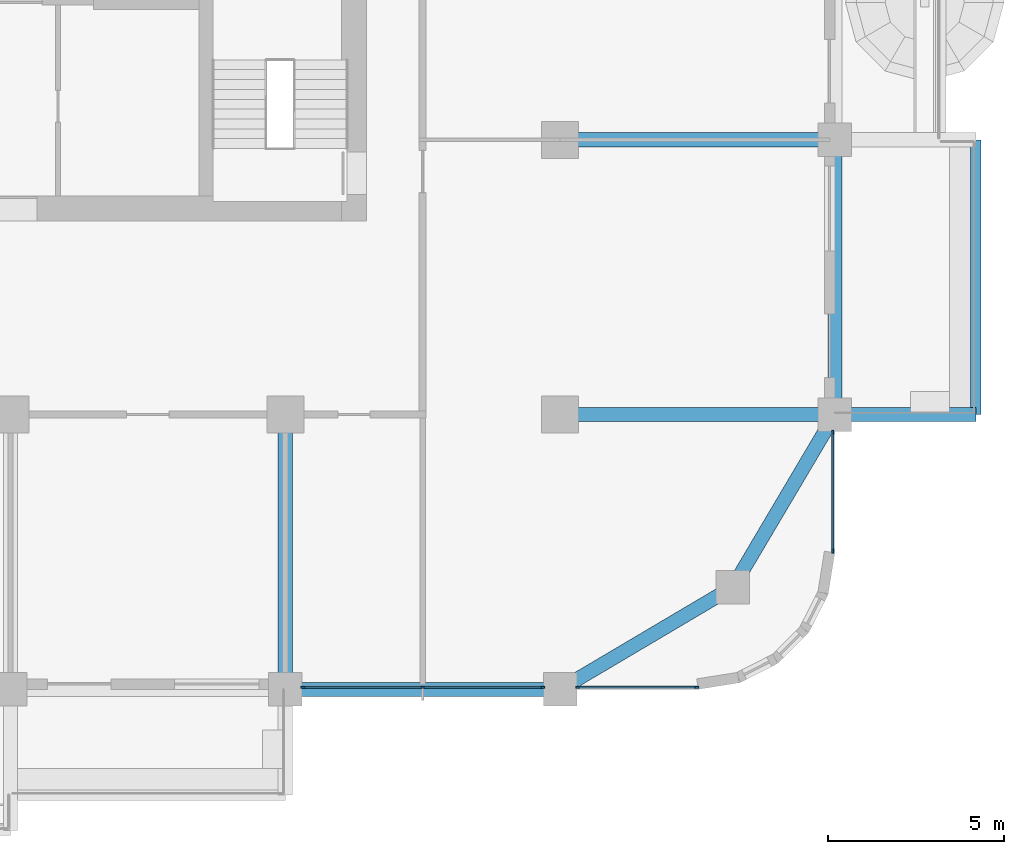
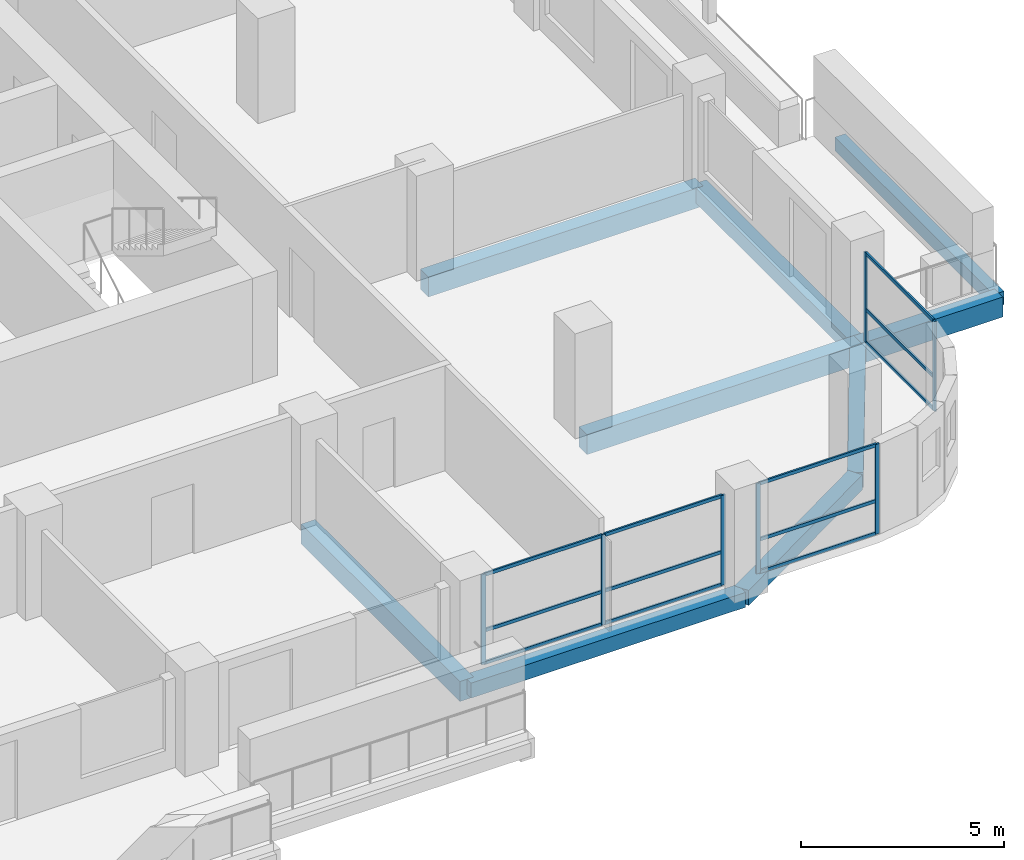
# One storey, part 4 of 21: 19 members, 9 beams, 3 elements without a shape of their own.
"""IFC4 building model written with IfcOpenShell, lengths in metres."""

from ifc_helpers import new_model, si_unit, direction, frame, origin, origin_2d, place, context, subcontext, project, spatial, rectangle, extrude, material, material_profile, profile_set, type_object, element, aggregate, save


model = new_model("IFC4")

# Units and contexts
model_context = context("Model", 3, precision=1e-05, world=origin(), true_north=direction((0.0, 1.0)))
body_context = subcontext(model_context, "Body", "Model", "MODEL_VIEW")
ifc_project = project(units=[si_unit("LENGTHUNIT", "METRE"), si_unit("AREAUNIT", "SQUARE_METRE"), si_unit("VOLUMEUNIT", "CUBIC_METRE"), si_unit("PLANEANGLEUNIT", "RADIAN"), si_unit("MASSUNIT", "GRAM", prefix="KILO")], contexts=[model_context])

# Site, building, storey
site_placement = place(None, origin())
site = spatial("IfcSite", under=ifc_project, at=site_placement, CompositionType="ELEMENT")
building_placement = place(site_placement, origin())
building = spatial("IfcBuilding", under=site, at=building_placement, Name="Ludao Terraces", CompositionType="ELEMENT")
storey_placement = place(building_placement, frame((0.0, 0.0, 71.60009765625)))
storey = spatial("IfcBuildingStorey", under=building, at=storey_placement, Name="L19", CompositionType="ELEMENT", Elevation=71.60009765625)

# Curtain wall, members
ifc_material_1 = material(Name="Aluminium curtain wall with fritted glass", Category="aluminium")
curtain_wall_type = type_object("IfcCurtainWallType", Name="ENV CW3 community glazing", PredefinedType="NOTDEFINED", material=ifc_material_1)
curtain_wall_1_placement = place(storey_placement, origin())
curtain_wall_1 = element("IfcCurtainWall", 1, at=curtain_wall_1_placement, inside=storey, type_object=curtain_wall_type, Name="Community floor glazing L19 S5", PredefinedType="NOTDEFINED")
ifc_material_2 = material(Name="Aluminium 6063-T6", Category="aluminium")
ifc_material_profile_1 = material_profile(ifc_material_2, rectangle(XDim=0.050048828125, YDim=0.1201171875, at=origin_2d()), Name="50 X 120")
ifc_profile_set_1 = profile_set([ifc_material_profile_1], Name="Aluminium 6063-T6")
member_type_1 = type_object("IfcMemberType", Name="ENV CW3 mullion 50x120", PredefinedType="MULLION", material=ifc_profile_set_1)
member_1_placement = place(storey_placement, frame((93.300048828125, 41.659912109375, 0.0), z_axis=(0.0, 0.0, 1.0), x_axis=(0.0, 1.0, 0.0)))
member_1 = element("IfcMember", 2, at=member_1_placement, type_object=member_type_1, Name="CW3 mullion 1", PredefinedType="MULLION", context=body_context, shape_type="SweptSolid", body=[
    extrude(rectangle(XDim=0.050048828125, YDim=0.1201171875, at=origin_2d()), origin(), (0.0, 0.0, 1.0), 2.699951171875),
])
member_2_placement = place(storey_placement, frame((96.699951171875, 41.659912109375, 0.0), z_axis=(0.0, 0.0, 1.0), x_axis=(0.0, 1.0, 0.0)))
member_2 = element("IfcMember", 3, at=member_2_placement, type_object=member_type_1, Name="CW3 mullion 2", PredefinedType="MULLION", context=body_context, shape_type="SweptSolid", body=[
    extrude(rectangle(XDim=0.050048828125, YDim=0.1201171875, at=origin_2d()), origin(), (0.0, 0.0, 1.0), 2.699951171875),
])
member_3_placement = place(storey_placement, frame((100.10009765625, 41.659912109375, 0.0), z_axis=(0.0, 0.0, 1.0), x_axis=(0.0, 1.0, 0.0)))
member_3 = element("IfcMember", 4, at=member_3_placement, type_object=member_type_1, Name="CW3 mullion 3", PredefinedType="MULLION", context=body_context, shape_type="SweptSolid", body=[
    extrude(rectangle(XDim=0.050048828125, YDim=0.1201171875, at=origin_2d()), origin(), (0.0, 0.0, 1.0), 2.699951171875),
])

curtain_wall_2_placement = place(storey_placement, origin())
curtain_wall_2 = element("IfcCurtainWall", 5, at=curtain_wall_2_placement, inside=storey, type_object=curtain_wall_type, Name="Community floor glazing L19 S6", PredefinedType="NOTDEFINED")
member_4_placement = place(storey_placement, frame((101.10009765625, 41.659912109375, 0.0), z_axis=(0.0, 0.0, 1.0), x_axis=(0.0, 1.0, 0.0)))
member_4 = element("IfcMember", 6, at=member_4_placement, type_object=member_type_1, Name="CW3 mullion 1", PredefinedType="MULLION", context=body_context, shape_type="SweptSolid", body=[
    extrude(rectangle(XDim=0.050048828125, YDim=0.1201171875, at=origin_2d()), origin(), (0.0, 0.0, 1.0), 2.699951171875),
])
member_5_placement = place(storey_placement, frame((104.47509765625, 41.659912109375, 0.0), z_axis=(0.0, 0.0, 1.0), x_axis=(0.0, 1.0, 0.0)))
member_5 = element("IfcMember", 7, at=member_5_placement, type_object=member_type_1, Name="CW3 mullion 2", PredefinedType="MULLION", context=body_context, shape_type="SweptSolid", body=[
    extrude(rectangle(XDim=0.050048828125, YDim=0.1201171875, at=origin_2d()), origin(), (0.0, 0.0, 1.0), 2.699951171875),
])

curtain_wall_3_placement = place(storey_placement, origin())
curtain_wall_3 = element("IfcCurtainWall", 8, at=curtain_wall_3_placement, inside=storey, type_object=curtain_wall_type, Name="Community floor glazing L19 E1", PredefinedType="NOTDEFINED")
member_6_placement = place(storey_placement, frame((108.340087890625, 45.52490234375, 0.0), z_axis=(0.0, 0.0, 1.0), x_axis=(-1.0, 0.0, 0.0)))
member_6 = element("IfcMember", 9, at=member_6_placement, type_object=member_type_1, Name="CW3 mullion 1", PredefinedType="MULLION", context=body_context, shape_type="SweptSolid", body=[
    extrude(rectangle(XDim=0.050048828125, YDim=0.1201171875, at=origin_2d()), origin(), (0.0, 0.0, 1.0), 2.699951171875),
])
member_7_placement = place(storey_placement, frame((108.340087890625, 48.89990234375, 0.0), z_axis=(0.0, 0.0, 1.0), x_axis=(-1.0, 0.0, 0.0)))
member_7 = element("IfcMember", 10, at=member_7_placement, type_object=member_type_1, Name="CW3 mullion 2", PredefinedType="MULLION", context=body_context, shape_type="SweptSolid", body=[
    extrude(rectangle(XDim=0.050048828125, YDim=0.1201171875, at=origin_2d()), origin(), (0.0, 0.0, 1.0), 2.699951171875),
])

# Member
ifc_material_profile_2 = material_profile(ifc_material_2, rectangle(XDim=0.050048828125, YDim=0.10009765625, at=origin_2d()), Name="50 X 100")
ifc_profile_set_2 = profile_set([ifc_material_profile_2], Name="Aluminium 6063-T6")
member_type_2 = type_object("IfcMemberType", Name="ENV CW3 transom 50x100", PredefinedType="USERDEFINED", material=ifc_profile_set_2)
member_8_placement = place(storey_placement, frame((93.324951171875, 41.659912109375, 0.02490234375), z_axis=(1.0, 0.0, 0.0), x_axis=(0.0, 1.0, 0.0)))
member_8 = element("IfcMember", 11, at=member_8_placement, type_object=member_type_2, Name="CW3 transom 1.1", ObjectType="TRANSOM", PredefinedType="USERDEFINED", context=body_context, shape_type="SweptSolid", body=[
    extrude(rectangle(XDim=0.050048828125, YDim=0.10009765625, at=origin_2d()), origin(), (0.0, 0.0, 1.0), 3.35009765625),
])

member_9_placement = place(storey_placement, frame((93.324951171875, 41.659912109375, 1.0), z_axis=(1.0, 0.0, 0.0), x_axis=(0.0, 1.0, 0.0)))
member_9 = element("IfcMember", 12, at=member_9_placement, type_object=member_type_2, Name="CW3 transom 1.2", ObjectType="TRANSOM", PredefinedType="USERDEFINED", context=body_context, shape_type="SweptSolid", body=[
    extrude(rectangle(XDim=0.050048828125, YDim=0.10009765625, at=origin_2d()), origin(), (0.0, 0.0, 1.0), 3.35009765625),
])

member_10_placement = place(storey_placement, frame((93.324951171875, 41.659912109375, 2.6748046875), z_axis=(1.0, 0.0, 0.0), x_axis=(0.0, 1.0, 0.0)))
member_10 = element("IfcMember", 13, at=member_10_placement, type_object=member_type_2, Name="CW3 transom 1.3", ObjectType="TRANSOM", PredefinedType="USERDEFINED", context=body_context, shape_type="SweptSolid", body=[
    extrude(rectangle(XDim=0.050048828125, YDim=0.10009765625, at=origin_2d()), origin(), (0.0, 0.0, 1.0), 3.35009765625),
])

member_11_placement = place(storey_placement, frame((96.72509765625, 41.659912109375, 0.02490234375), z_axis=(1.0, 0.0, 0.0), x_axis=(0.0, 1.0, 0.0)))
member_11 = element("IfcMember", 14, at=member_11_placement, type_object=member_type_2, Name="CW3 transom 2.1", ObjectType="TRANSOM", PredefinedType="USERDEFINED", context=body_context, shape_type="SweptSolid", body=[
    extrude(rectangle(XDim=0.050048828125, YDim=0.10009765625, at=origin_2d()), origin(), (0.0, 0.0, 1.0), 3.349853515625),
])

member_12_placement = place(storey_placement, frame((96.72509765625, 41.659912109375, 1.0), z_axis=(1.0, 0.0, 0.0), x_axis=(0.0, 1.0, 0.0)))
member_12 = element("IfcMember", 15, at=member_12_placement, type_object=member_type_2, Name="CW3 transom 2.2", ObjectType="TRANSOM", PredefinedType="USERDEFINED", context=body_context, shape_type="SweptSolid", body=[
    extrude(rectangle(XDim=0.050048828125, YDim=0.10009765625, at=origin_2d()), origin(), (0.0, 0.0, 1.0), 3.349853515625),
])

member_13_placement = place(storey_placement, frame((96.72509765625, 41.659912109375, 2.6748046875), z_axis=(1.0, 0.0, 0.0), x_axis=(0.0, 1.0, 0.0)))
member_13 = element("IfcMember", 16, at=member_13_placement, type_object=member_type_2, Name="CW3 transom 2.3", ObjectType="TRANSOM", PredefinedType="USERDEFINED", context=body_context, shape_type="SweptSolid", body=[
    extrude(rectangle(XDim=0.050048828125, YDim=0.10009765625, at=origin_2d()), origin(), (0.0, 0.0, 1.0), 3.349853515625),
])

aggregate(curtain_wall_1, [member_1, member_2, member_3, member_8, member_9, member_10, member_11, member_12, member_13])

member_14_placement = place(storey_placement, frame((101.125, 41.659912109375, 0.02490234375), z_axis=(1.0, 0.0, 0.0), x_axis=(0.0, 1.0, 0.0)))
member_14 = element("IfcMember", 17, at=member_14_placement, type_object=member_type_2, Name="CW3 transom 1.1", ObjectType="TRANSOM", PredefinedType="USERDEFINED", context=body_context, shape_type="SweptSolid", body=[
    extrude(rectangle(XDim=0.050048828125, YDim=0.10009765625, at=origin_2d()), origin(), (0.0, 0.0, 1.0), 3.324951171875),
])

member_15_placement = place(storey_placement, frame((101.125, 41.659912109375, 1.0), z_axis=(1.0, 0.0, 0.0), x_axis=(0.0, 1.0, 0.0)))
member_15 = element("IfcMember", 18, at=member_15_placement, type_object=member_type_2, Name="CW3 transom 1.2", ObjectType="TRANSOM", PredefinedType="USERDEFINED", context=body_context, shape_type="SweptSolid", body=[
    extrude(rectangle(XDim=0.050048828125, YDim=0.10009765625, at=origin_2d()), origin(), (0.0, 0.0, 1.0), 3.324951171875),
])

member_16_placement = place(storey_placement, frame((101.125, 41.659912109375, 2.6748046875), z_axis=(1.0, 0.0, 0.0), x_axis=(0.0, 1.0, 0.0)))
member_16 = element("IfcMember", 19, at=member_16_placement, type_object=member_type_2, Name="CW3 transom 1.3", ObjectType="TRANSOM", PredefinedType="USERDEFINED", context=body_context, shape_type="SweptSolid", body=[
    extrude(rectangle(XDim=0.050048828125, YDim=0.10009765625, at=origin_2d()), origin(), (0.0, 0.0, 1.0), 3.324951171875),
])

aggregate(curtain_wall_2, [member_4, member_5, member_14, member_15, member_16])

member_17_placement = place(storey_placement, frame((108.340087890625, 45.550048828125, 0.02490234375), z_axis=(0.0, 1.0, 0.0), x_axis=(-1.0, 0.0, 0.0)))
member_17 = element("IfcMember", 20, at=member_17_placement, type_object=member_type_2, Name="CW3 transom 1.1", ObjectType="TRANSOM", PredefinedType="USERDEFINED", context=body_context, shape_type="SweptSolid", body=[
    extrude(rectangle(XDim=0.050048828125, YDim=0.10009765625, at=origin_2d()), origin(), (0.0, 0.0, 1.0), 3.324951171875),
])

member_18_placement = place(storey_placement, frame((108.340087890625, 45.550048828125, 1.0), z_axis=(0.0, 1.0, 0.0), x_axis=(-1.0, 0.0, 0.0)))
member_18 = element("IfcMember", 21, at=member_18_placement, type_object=member_type_2, Name="CW3 transom 1.2", ObjectType="TRANSOM", PredefinedType="USERDEFINED", context=body_context, shape_type="SweptSolid", body=[
    extrude(rectangle(XDim=0.050048828125, YDim=0.10009765625, at=origin_2d()), origin(), (0.0, 0.0, 1.0), 3.324951171875),
])

member_19_placement = place(storey_placement, frame((108.340087890625, 45.550048828125, 2.6748046875), z_axis=(0.0, 1.0, 0.0), x_axis=(-1.0, 0.0, 0.0)))
member_19 = element("IfcMember", 22, at=member_19_placement, type_object=member_type_2, Name="CW3 transom 1.3", ObjectType="TRANSOM", PredefinedType="USERDEFINED", context=body_context, shape_type="SweptSolid", body=[
    extrude(rectangle(XDim=0.050048828125, YDim=0.10009765625, at=origin_2d()), origin(), (0.0, 0.0, 1.0), 3.324951171875),
])

aggregate(curtain_wall_3, [member_6, member_7, member_17, member_18, member_19])

# Beams
ifc_material_3 = material(Name="Concrete C40", Category="concrete")
ifc_material_profile_3 = material_profile(ifc_material_3, rectangle(XDim=0.300048828125, YDim=0.39990234375, at=origin_2d()), Name="300 X 400")
ifc_profile_set_3 = profile_set([ifc_material_profile_3], Name="Concrete C40")
beam_type_1 = type_object("IfcBeamType", Name="RC beam 300x400 C40", PredefinedType="BEAM", material=ifc_profile_set_3)
beam_1_placement = place(storey_placement, frame((112.39990234375, 49.39990234375, -0.4501953125), z_axis=(0.0, 1.0, 0.0), x_axis=(-1.0, 0.0, 0.0)))
element("IfcBeam", 23, at=beam_1_placement, inside=storey, type_object=beam_type_1, Name="Balcony edge beam L19 E1", PredefinedType="BEAM", context=body_context, shape_type="SweptSolid", body=[
    extrude(rectangle(XDim=0.300048828125, YDim=0.39990234375, at=origin_2d()), origin(), (0.0, 0.0, 1.0), 7.800048828125),
])
ifc_material_profile_4 = material_profile(ifc_material_3, rectangle(XDim=0.39990234375, YDim=0.449951171875, at=origin_2d()), Name="400 X 450")
ifc_profile_set_4 = profile_set([ifc_material_profile_4], Name="Concrete C40")
beam_type_2 = type_object("IfcBeamType", Name="RC beam 400x450 C40", PredefinedType="BEAM", material=ifc_profile_set_4)
beam_2_placement = place(storey_placement, frame((92.800048828125, 41.60009765625, -0.47509765625), z_axis=(1.0, 0.0, 0.0), x_axis=(0.0, 1.0, 0.0)))
element("IfcBeam", 24, at=beam_2_placement, inside=storey, type_object=beam_type_2, Name="Spandrel beam L19 S5", PredefinedType="BEAM", context=body_context, shape_type="SweptSolid", body=[
    extrude(rectangle(XDim=0.39990234375, YDim=0.449951171875, at=origin_2d()), origin(), (0.0, 0.0, 1.0), 7.800048828125),
])
for number, where, z_axis, x_axis, name in (
    (25, (100.60009765625, 41.60009765625, -0.47509765625), (0.860579751256, 0.509315709288, 0.0), (-0.509315709288, 0.860579751256, 0.0), "Spandrel beam L19 S6"),
    (26, (105.5, 44.5, -0.47509765625), (0.509315709288, 0.860579751256, 0.0), (-0.860579751256, 0.509315709288, 0.0), "Spandrel beam L19 E19"),
):
    element("IfcBeam", number, at=place(storey_placement, frame(where, z_axis=z_axis, x_axis=x_axis)), inside=storey, type_object=beam_type_2, Name=name, PredefinedType="BEAM", context=body_context, shape_type="SweptSolid", body=[
        extrude(rectangle(XDim=0.39990234375, YDim=0.449951171875, at=origin_2d()), origin(), (0.0, 0.0, 1.0), 5.693603515625),
    ])
beam_3_placement = place(storey_placement, frame((108.39990234375, 49.39990234375, -0.47509765625), z_axis=(0.0, 1.0, 0.0), x_axis=(-1.0, 0.0, 0.0)))
element("IfcBeam", 27, at=beam_3_placement, inside=storey, type_object=beam_type_2, Name="Spandrel beam L19 E20", PredefinedType="BEAM", context=body_context, shape_type="SweptSolid", body=[
    extrude(rectangle(XDim=0.39990234375, YDim=0.449951171875, at=origin_2d()), origin(), (0.0, 0.0, 1.0), 7.800048828125),
])
ifc_material_profile_5 = material_profile(ifc_material_3, rectangle(XDim=0.39990234375, YDim=0.60009765625, at=origin_2d()), Name="400 X 600")
ifc_profile_set_5 = profile_set([ifc_material_profile_5], Name="Concrete C40")
beam_type_3 = type_object("IfcBeamType", Name="RC beam 400x600 C40", PredefinedType="BEAM", material=ifc_profile_set_5)
beam_4_placement = place(storey_placement, frame((100.60009765625, 49.39990234375, -0.550048828125), z_axis=(1.0, 0.0, 0.0), x_axis=(0.0, 1.0, 0.0)))
element("IfcBeam", 28, at=beam_4_placement, inside=storey, type_object=beam_type_3, Name="Balcony beam L19 E494", PredefinedType="BEAM", context=body_context, shape_type="SweptSolid", body=[
    extrude(rectangle(XDim=0.39990234375, YDim=0.60009765625, at=origin_2d()), origin(), (0.0, 0.0, 1.0), 7.7998046875),
])
beam_5_placement = place(storey_placement, frame((108.39990234375, 49.39990234375, -0.550048828125), z_axis=(1.0, 0.0, 0.0), x_axis=(0.0, 1.0, 0.0)))
element("IfcBeam", 29, at=beam_5_placement, inside=storey, type_object=beam_type_3, Name="Balcony beam L19 E494", PredefinedType="BEAM", context=body_context, shape_type="SweptSolid", body=[
    extrude(rectangle(XDim=0.39990234375, YDim=0.60009765625, at=origin_2d()), origin(), (0.0, 0.0, 1.0), 4.0),
])
for number, where, z_axis, x_axis, name in (
    (30, (100.60009765625, 57.199951171875, -0.550048828125), (1.0, 0.0, 0.0), (0.0, 1.0, 0.0), "Balcony beam L19 E572"),
    (31, (92.800048828125, 49.39990234375, -0.550048828125), (0.0, -1.0, 0.0), (1.0, 0.0, 0.0), "Balcony beam L19 S928"),
):
    element("IfcBeam", number, at=place(storey_placement, frame(where, z_axis=z_axis, x_axis=x_axis)), inside=storey, type_object=beam_type_3, Name=name, PredefinedType="BEAM", context=body_context, shape_type="SweptSolid", body=[
        extrude(rectangle(XDim=0.39990234375, YDim=0.60009765625, at=origin_2d()), origin(), (0.0, 0.0, 1.0), 7.7998046875),
    ])

save(model, "model.ifc")
